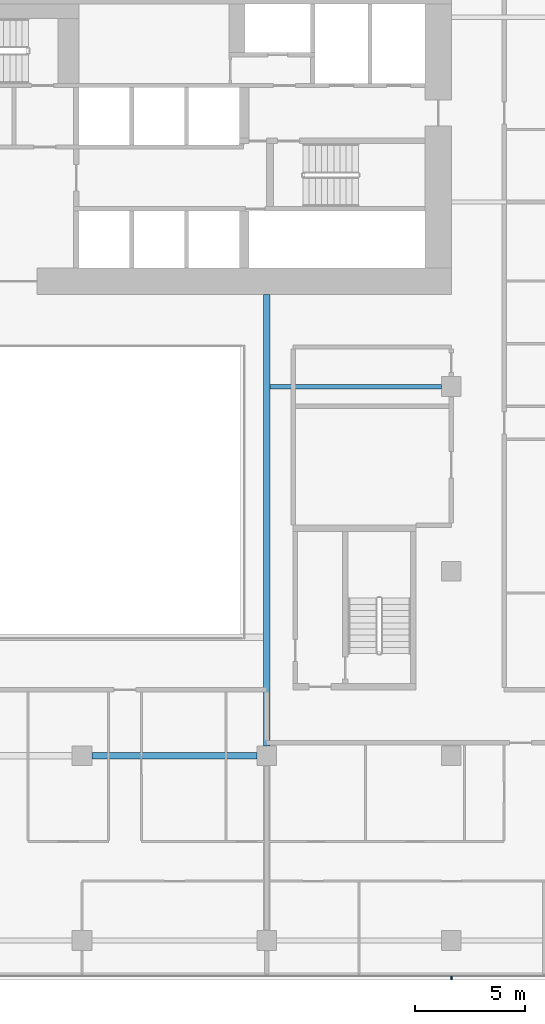
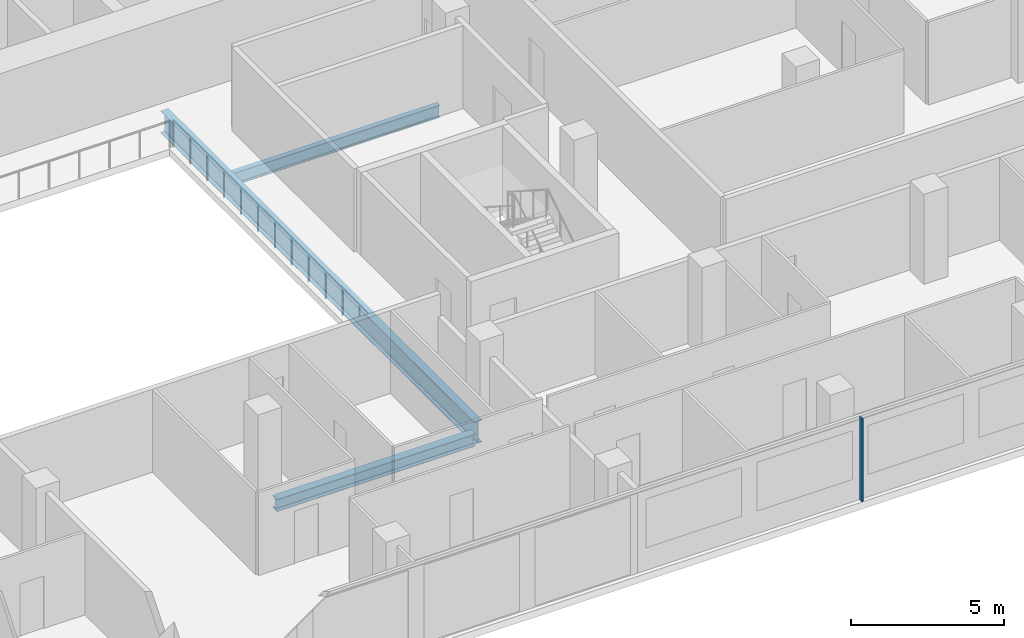
# One storey, part 6 of 27: 3 beams, 1 member, 1 element without a shape of its own.
"""IFC4 building model written with IfcOpenShell, lengths in metres."""

from ifc_helpers import new_model, si_unit, direction, frame, origin, origin_2d, place, context, subcontext, project, spatial, rectangle, i_section, extrude, material, material_profile, profile_set, type_object, element, aggregate, save


model = new_model("IFC4")

# Units and contexts
model_context = context("Model", 3, precision=1e-05, world=origin(), true_north=direction((0.0, 1.0)))
body_context = subcontext(model_context, "Body", "Model", "MODEL_VIEW")
ifc_project = project(units=[si_unit("LENGTHUNIT", "METRE"), si_unit("AREAUNIT", "SQUARE_METRE"), si_unit("VOLUMEUNIT", "CUBIC_METRE"), si_unit("PLANEANGLEUNIT", "RADIAN"), si_unit("MASSUNIT", "GRAM", prefix="KILO")], contexts=[model_context])

# Site, building, storey
site_placement = place(None, origin())
site = spatial("IfcSite", under=ifc_project, at=site_placement, CompositionType="ELEMENT")
building_placement = place(site_placement, origin())
building = spatial("IfcBuilding", under=site, at=building_placement, Name="Saffron Gate Tower", CompositionType="ELEMENT")
storey_placement = place(building_placement, frame((0.0, 0.0, 76.800048828125)))
storey = spatial("IfcBuildingStorey", under=building, at=storey_placement, Name="L18", CompositionType="ELEMENT", Elevation=76.800048828125)

# Beams
ifc_material_1 = material(Name="Structural steel S355", Category="steel")
ifc_material_profile_1 = material_profile(ifc_material_1, i_section(OverallWidth=0.199951171875, OverallDepth=0.5, WebThickness=0.01025390625, FlangeThickness=0.01611328125, FilletRadius=0.02099609375, at=origin_2d()))
ifc_profile_set_1 = profile_set([ifc_material_profile_1], Name="Structural steel S355")
beam_type_1 = type_object("IfcBeamType", Name="B10 IPE 500", PredefinedType="BEAM", material=ifc_profile_set_1)
beam_1_placement = place(storey_placement, frame((108.14990234375, 57.0, -0.530029296875), z_axis=(-1.0, 0.0, 0.0), x_axis=(0.0, -1.0, 0.0)))
element("IfcBeam", 1, at=beam_1_placement, inside=storey, type_object=beam_type_1, Name="B10 CORE TIE BEAM", PredefinedType="BEAM", context=body_context, shape_type="SweptSolid", body=[
    extrude(i_section(OverallWidth=0.199951171875, OverallDepth=0.5, WebThickness=0.01025390625, FlangeThickness=0.01611328125, FilletRadius=0.02099609375, at=origin_2d()), origin(), (0.0, 0.0, 1.0), 7.7998046875),
])
ifc_material_profile_2 = material_profile(ifc_material_1, i_section(OverallWidth=0.300048828125, OverallDepth=0.889892578125, WebThickness=0.01611328125, FlangeThickness=0.030029296875, FilletRadius=0.030029296875, at=origin_2d()))
ifc_profile_set_2 = profile_set([ifc_material_profile_2], Name="Structural steel S355")
beam_type_2 = type_object("IfcBeamType", Name="B19 HEA 900", PredefinedType="BEAM", material=ifc_profile_set_2)
beam_2_placement = place(storey_placement, frame((100.199951171875, 40.64990234375, -0.72509765625), z_axis=(0.0, 1.0, 0.0), x_axis=(-1.0, 0.0, 0.0)))
element("IfcBeam", 2, at=beam_2_placement, inside=storey, type_object=beam_type_2, Name="B19 ATRIUM GIRDER", PredefinedType="BEAM", context=body_context, shape_type="SweptSolid", body=[
    extrude(i_section(OverallWidth=0.300048828125, OverallDepth=0.889892578125, WebThickness=0.01611328125, FlangeThickness=0.030029296875, FilletRadius=0.030029296875, at=origin_2d()), origin(), (0.0, 0.0, 1.0), 20.550048828125),
])
ifc_material_profile_3 = material_profile(ifc_material_1, i_section(OverallWidth=0.300048828125, OverallDepth=0.489990234375, WebThickness=0.011962890625, FlangeThickness=0.02294921875, FilletRadius=0.027099609375, at=origin_2d()))
ifc_profile_set_3 = profile_set([ifc_material_profile_3], Name="Structural steel S355")
beam_type_3 = type_object("IfcBeamType", Name="B8 HEA 500", PredefinedType="BEAM", material=ifc_profile_set_3)
beam_3_placement = place(storey_placement, frame((92.25, 40.199951171875, -0.525146484375), z_axis=(1.0, 0.0, 0.0), x_axis=(0.0, 1.0, 0.0)))
element("IfcBeam", 3, at=beam_3_placement, inside=storey, type_object=beam_type_3, Name="B8 FLOOR GIRDER", PredefinedType="BEAM", context=body_context, shape_type="SweptSolid", body=[
    extrude(i_section(OverallWidth=0.300048828125, OverallDepth=0.489990234375, WebThickness=0.011962890625, FlangeThickness=0.02294921875, FilletRadius=0.027099609375, at=origin_2d()), origin(), (0.0, 0.0, 1.0), 7.5),
])

# Curtain wall, member
ifc_material_2 = material(Name="Aluminium, bronze anodised", Category="aluminium")
curtain_wall_type = type_object("IfcCurtainWallType", Name="CWS1 curtain wall front facade", PredefinedType="NOTDEFINED", material=ifc_material_2)
curtain_wall_placement = place(storey_placement, origin())
curtain_wall = element("IfcCurtainWall", 4, at=curtain_wall_placement, inside=storey, type_object=curtain_wall_type, Name="CWS1 run 1", PredefinedType="NOTDEFINED")
ifc_material_profile_4 = material_profile(ifc_material_2, rectangle(XDim=0.159912109375, YDim=0.06005859375, at=origin_2d()))
ifc_profile_set_4 = profile_set([ifc_material_profile_4], Name="Aluminium, bronze anodised")
member_type = type_object("IfcMemberType", Name="CWS1 mullion 60x160", PredefinedType="MULLION", material=ifc_profile_set_4)
member_placement = place(storey_placement, frame((108.60009765625, 30.080078125, 0.0), z_axis=(0.0, 0.0, 1.0), x_axis=(0.0, 1.0, 0.0)))
member = element("IfcMember", 5, at=member_placement, type_object=member_type, Name="CWS1 mullion 8", PredefinedType="MULLION", context=body_context, shape_type="SweptSolid", body=[
    extrude(rectangle(XDim=0.159912109375, YDim=0.06005859375, at=origin_2d()), origin(), (0.0, 0.0, 1.0), 3.320068359375),
])
aggregate(curtain_wall, [member])

save(model, "model.ifc")
